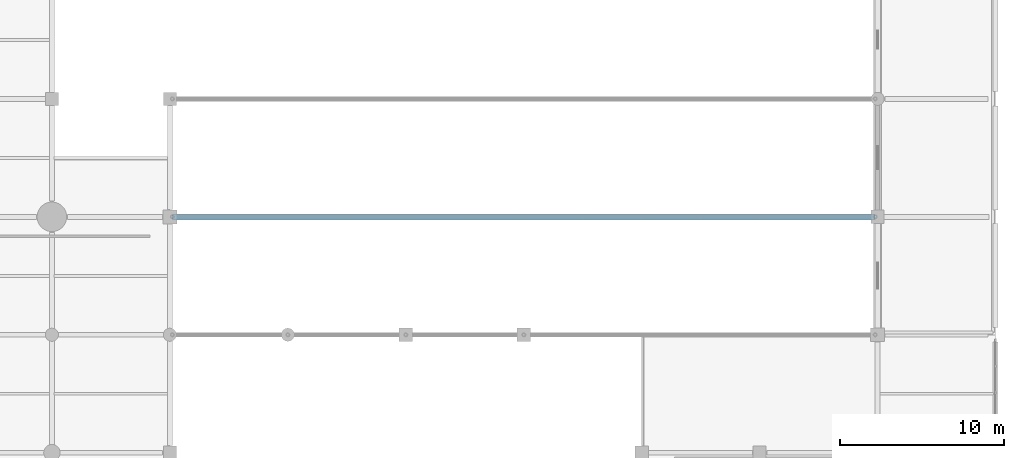
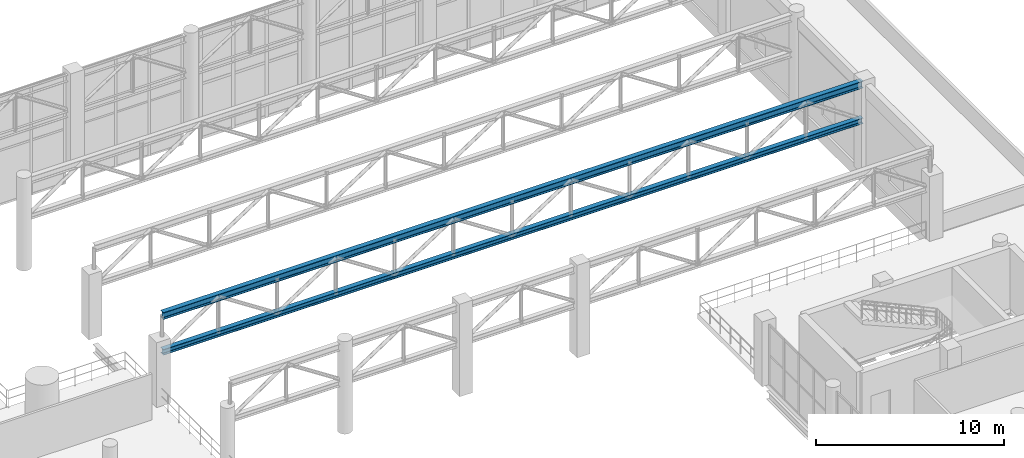
# One storey, part 94 of 153: 2 beams.
"""IFC4 building model written with IfcOpenShell, lengths in metres."""

from ifc_helpers import new_model, si_unit, direction, frame, origin, origin_2d, place, context, subcontext, project, spatial, i_section, extrude, material, material_profile, profile_set, type_object, element, save


model = new_model("IFC4")

# Units and contexts
model_context = context("Model", 3, precision=1e-05, world=origin(), true_north=direction((0.0, 1.0)))
body_context = subcontext(model_context, "Body", "Model", "MODEL_VIEW")
ifc_project = project(units=[si_unit("LENGTHUNIT", "METRE"), si_unit("AREAUNIT", "SQUARE_METRE"), si_unit("VOLUMEUNIT", "CUBIC_METRE"), si_unit("PLANEANGLEUNIT", "RADIAN"), si_unit("MASSUNIT", "GRAM", prefix="KILO")], contexts=[model_context])

# Site, building, storey
site_placement = place(None, origin())
site = spatial("IfcSite", under=ifc_project, at=site_placement, CompositionType="ELEMENT")
building_placement = place(site_placement, origin())
building = spatial("IfcBuilding", under=site, at=building_placement, Name="Qandorah Velis Arena", CompositionType="ELEMENT")
storey_placement = place(building_placement, frame((0.0, 0.0, 5.39990234375)))
storey = spatial("IfcBuildingStorey", under=building, at=storey_placement, Name="L01", CompositionType="ELEMENT", Elevation=5.39990234375)

# Beams
ifc_material = material(Name="Steel S355", Category="steel")
ifc_material_profile_1 = material_profile(ifc_material, i_section(OverallWidth=0.300048828125, OverallDepth=0.360107421875, WebThickness=0.012451171875, FlangeThickness=0.0224609375, FilletRadius=0.027099609375, at=origin_2d()), Name="HEB 360")
ifc_profile_set_1 = profile_set([ifc_material_profile_1], Name="Steel S355")
beam_type_1 = type_object("IfcBeamType", Name="STR-BM-HEB360", PredefinedType="BEAM", material=ifc_profile_set_1)
beam_1_placement = place(storey_placement, frame((122.550048828125, 100.800048828125, 3.205078125), z_axis=(1.0, 0.0, 0.0), x_axis=(0.0, 1.0, 0.0)))
element("IfcBeam", 1, at=beam_1_placement, inside=storey, type_object=beam_type_1, Name="Practice court roof truss 2 bottom chord", PredefinedType="BEAM", context=body_context, shape_type="SweptSolid", body=[
    extrude(i_section(OverallWidth=0.300048828125, OverallDepth=0.360107421875, WebThickness=0.012451171875, FlangeThickness=0.0224609375, FilletRadius=0.027099609375, at=origin_2d()), origin(), (0.0, 0.0, 1.0), 42.89990234375),
])
ifc_material_profile_2 = material_profile(ifc_material, i_section(OverallWidth=0.300048828125, OverallDepth=0.449951171875, WebThickness=0.013916015625, FlangeThickness=0.02587890625, FilletRadius=0.027099609375, at=origin_2d()), Name="HEB 450")
ifc_profile_set_2 = profile_set([ifc_material_profile_2], Name="Steel S355")
beam_type_2 = type_object("IfcBeamType", Name="STR-BM-HEB450", PredefinedType="BEAM", material=ifc_profile_set_2)
beam_2_placement = place(storey_placement, frame((122.550048828125, 100.800048828125, 5.55517578125), z_axis=(1.0, 0.0, 0.0), x_axis=(0.0, 1.0, 0.0)))
element("IfcBeam", 2, at=beam_2_placement, inside=storey, type_object=beam_type_2, Name="Practice court roof truss 2 top chord", PredefinedType="BEAM", context=body_context, shape_type="SweptSolid", body=[
    extrude(i_section(OverallWidth=0.300048828125, OverallDepth=0.449951171875, WebThickness=0.013916015625, FlangeThickness=0.02587890625, FilletRadius=0.027099609375, at=origin_2d()), origin(), (0.0, 0.0, 1.0), 42.89990234375),
])

save(model, "model.ifc")
